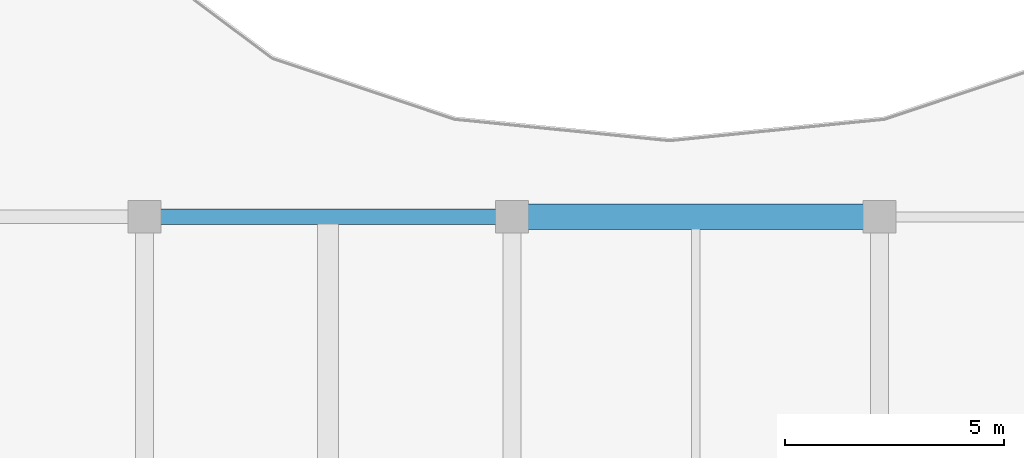
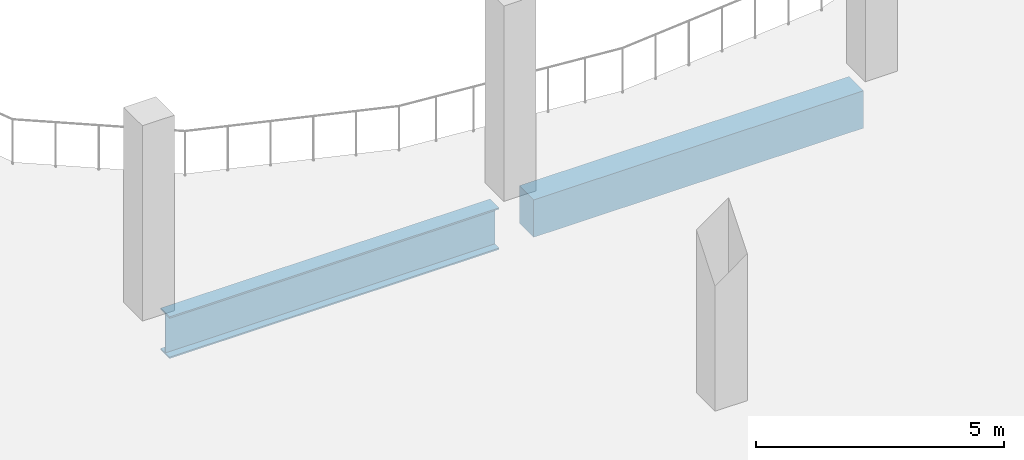
# One storey, part 13 of 77: 2 beams.
"""IFC4 building model written with IfcOpenShell, lengths in metres."""

from ifc_helpers import new_model, si_unit, direction, frame, origin, origin_2d, place, context, subcontext, project, spatial, rectangle, i_section, extrude, material, material_profile, profile_set, type_object, element, save


model = new_model("IFC4")

# Units and contexts
model_context = context("Model", 3, precision=1e-05, world=origin(), true_north=direction((0.0, 1.0)))
body_context = subcontext(model_context, "Body", "Model", "MODEL_VIEW")
ifc_project = project(units=[si_unit("LENGTHUNIT", "METRE"), si_unit("AREAUNIT", "SQUARE_METRE"), si_unit("VOLUMEUNIT", "CUBIC_METRE"), si_unit("PLANEANGLEUNIT", "RADIAN"), si_unit("MASSUNIT", "GRAM", prefix="KILO")], contexts=[model_context])

# Site, building, storey
site_placement = place(None, origin())
site = spatial("IfcSite", under=ifc_project, at=site_placement, CompositionType="ELEMENT")
building_placement = place(site_placement, origin())
building = spatial("IfcBuilding", under=site, at=building_placement, Name="Solvento Point Concert Hall", CompositionType="ELEMENT")
storey_placement = place(building_placement, frame((0.0, 0.0, 10.199951171875)))
storey = spatial("IfcBuildingStorey", under=building, at=storey_placement, Name="L02", CompositionType="ELEMENT", Elevation=10.199951171875)

# Beams
ifc_material_1 = material(Name="Concrete C35/45", Category="concrete")
ifc_material_profile_1 = material_profile(ifc_material_1, rectangle(XDim=0.580078125, YDim=0.919921875, at=origin_2d()), Name="RC-BM-580X920")
ifc_profile_set_1 = profile_set([ifc_material_profile_1], Name="Concrete C35/45")
beam_type_1 = type_object("IfcBeamType", Name="Girder_RC_580x920", PredefinedType="USERDEFINED", material=ifc_profile_set_1)
beam_1_placement = place(storey_placement, frame((57.968994140625, 34.0, -0.73388671875), z_axis=(1.0, 0.0, 0.0), x_axis=(0.0, 1.0, 0.0)))
element("IfcBeam", 1, at=beam_1_placement, inside=storey, type_object=beam_type_1, Name="Primary girder B-95 L02", ObjectType="GIRDER", PredefinedType="USERDEFINED", context=body_context, shape_type="SweptSolid", body=[
    extrude(rectangle(XDim=0.580078125, YDim=0.919921875, at=origin_2d()), origin(), (0.0, 0.0, 1.0), 7.662109375),
])
ifc_material_2 = material(Name="Structural Steel ASTM A992 Grade 50", Category="steel")
ifc_material_profile_2 = material_profile(ifc_material_2, i_section(OverallWidth=0.361083984375, OverallDepth=1.02587890625, WebThickness=0.01904296875, FlangeThickness=0.0361328125, at=origin_2d()), Name="W40X249")
ifc_profile_set_2 = profile_set([ifc_material_profile_2], Name="Structural Steel ASTM A992 Grade 50")
beam_type_2 = type_object("IfcBeamType", Name="Girder_W40X249", PredefinedType="USERDEFINED", material=ifc_profile_set_2)
beam_2_placement = place(storey_placement, frame((49.569091796875, 34.0, -0.786865234375), z_axis=(1.0, 0.0, 0.0), x_axis=(0.0, 1.0, 0.0)))
element("IfcBeam", 2, at=beam_2_placement, inside=storey, type_object=beam_type_2, Name="Primary girder B-29 L02", ObjectType="GIRDER", PredefinedType="USERDEFINED", context=body_context, shape_type="SweptSolid", body=[
    extrude(i_section(OverallWidth=0.361083984375, OverallDepth=1.02587890625, WebThickness=0.01904296875, FlangeThickness=0.0361328125, at=origin_2d()), origin(), (0.0, 0.0, 1.0), 7.661865234375),
])

save(model, "model.ifc")
